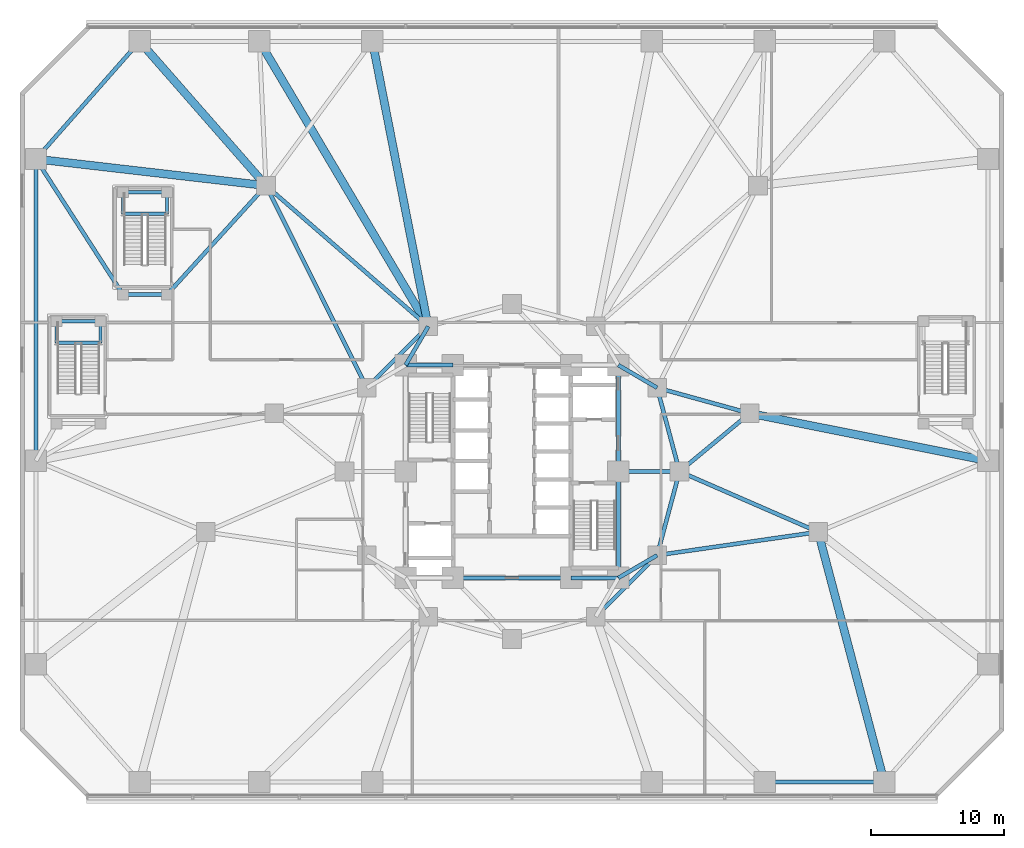
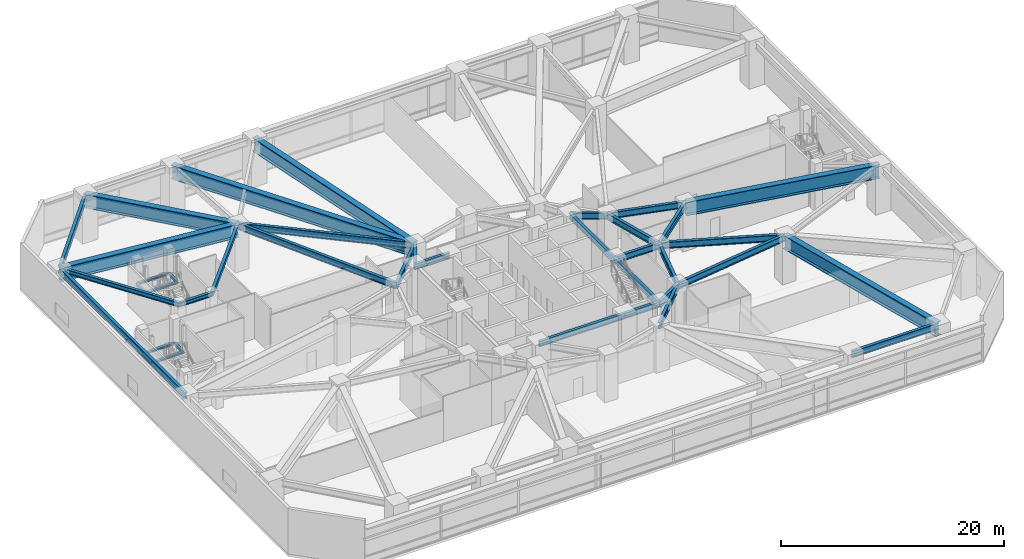
# One storey, part 8 of 27: 39 beams.
"""IFC4 building model written with IfcOpenShell, lengths in metres."""

from ifc_helpers import new_model, si_unit, direction, frame, origin, origin_2d, place, context, subcontext, project, spatial, i_section, extrude, material, material_profile, profile_set, type_object, element, save


model = new_model("IFC4")

# Units and contexts
model_context = context("Model", 3, precision=1e-05, world=origin(), true_north=direction((0.0, 1.0)))
body_context = subcontext(model_context, "Body", "Model", "MODEL_VIEW")
ifc_project = project(units=[si_unit("LENGTHUNIT", "METRE"), si_unit("AREAUNIT", "SQUARE_METRE"), si_unit("VOLUMEUNIT", "CUBIC_METRE"), si_unit("PLANEANGLEUNIT", "RADIAN"), si_unit("MASSUNIT", "GRAM", prefix="KILO")], contexts=[model_context])

# Site, building, storey
site_placement = place(None, origin())
site = spatial("IfcSite", under=ifc_project, at=site_placement, CompositionType="ELEMENT")
building_placement = place(site_placement, origin())
building = spatial("IfcBuilding", under=site, at=building_placement, Name="Terralouvre Media Tower", CompositionType="ELEMENT")
storey_placement = place(building_placement, frame((0.0, 0.0, 15.60009765625)))
storey = spatial("IfcBuildingStorey", under=building, at=storey_placement, Name="L03", CompositionType="ELEMENT", Elevation=15.60009765625)

# Beams
ifc_material_1 = material(Name="Structural steel S355J2", Category="steel")
ifc_material_profile_1 = material_profile(ifc_material_1, i_section(OverallWidth=0.239990234375, OverallDepth=0.239990234375, WebThickness=0.010009765625, FlangeThickness=0.01708984375, at=origin_2d()), Name="HEB 240")
ifc_profile_set_1 = profile_set([ifc_material_profile_1], Name="Structural steel S355J2")
beam_type_1 = type_object("IfcBeamType", Name="Opening Lintel Beam LN-240H (HEB 240)", PredefinedType="LINTEL", material=ifc_profile_set_1)
for number, where, z_axis, x_axis, name in (
    (1, (-34.25, 9.679931640625, 2.27978515625), (0.0, 1.0, 0.0), (-1.0, 0.0, 0.0), "L03 ST-03 Intermediate Landing Support Beam 1W"),
    (2, (-30.949951171875, 9.679931640625, 2.27978515625), (0.0, 1.0, 0.0), (-1.0, 0.0, 0.0), "L03 ST-03 Intermediate Landing Support Beam 1E"),
):
    element("IfcBeam", number, at=place(storey_placement, frame(where, z_axis=z_axis, x_axis=x_axis)), inside=storey, type_object=beam_type_1, Name=name, PredefinedType="LINTEL", context=body_context, shape_type="SweptSolid", body=[
        extrude(i_section(OverallWidth=0.239990234375, OverallDepth=0.239990234375, WebThickness=0.010009765625, FlangeThickness=0.01708984375, at=origin_2d()), origin(), (0.0, 0.0, 1.0), 1.6201171875),
    ])
for number, where, z_axis, x_axis, name in (
    (3, (-34.25, 9.679931640625, 2.27978515625), (1.0, 0.0, 0.0), (0.0, 1.0, 0.0), "L03 ST-03 Intermediate Landing Support Beam 1S"),
    (4, (-34.25, 11.300048828125, 2.27978515625), (1.0, 0.0, 0.0), (0.0, 1.0, 0.0), "L03 ST-03 Intermediate Landing Support Beam 1X"),
):
    element("IfcBeam", number, at=place(storey_placement, frame(where, z_axis=z_axis, x_axis=x_axis)), inside=storey, type_object=beam_type_1, Name=name, PredefinedType="LINTEL", context=body_context, shape_type="SweptSolid", body=[
        extrude(i_section(OverallWidth=0.239990234375, OverallDepth=0.239990234375, WebThickness=0.010009765625, FlangeThickness=0.01708984375, at=origin_2d()), origin(), (0.0, 0.0, 1.0), 3.300048828125),
    ])
for number, where, z_axis, x_axis, name in (
    (5, (-29.25, 19.3798828125, 2.27978515625), (0.0, 1.0, 0.0), (-1.0, 0.0, 0.0), "L03 ST-06 Intermediate Landing Support Beam 1W"),
    (6, (-25.949951171875, 19.3798828125, 2.27978515625), (0.0, 1.0, 0.0), (-1.0, 0.0, 0.0), "L03 ST-06 Intermediate Landing Support Beam 1E"),
):
    element("IfcBeam", number, at=place(storey_placement, frame(where, z_axis=z_axis, x_axis=x_axis)), inside=storey, type_object=beam_type_1, Name=name, PredefinedType="LINTEL", context=body_context, shape_type="SweptSolid", body=[
        extrude(i_section(OverallWidth=0.239990234375, OverallDepth=0.239990234375, WebThickness=0.010009765625, FlangeThickness=0.01708984375, at=origin_2d()), origin(), (0.0, 0.0, 1.0), 1.6201171875),
    ])
for number, where, z_axis, x_axis, name in (
    (7, (-29.25, 19.3798828125, 2.27978515625), (1.0, 0.0, 0.0), (0.0, 1.0, 0.0), "L03 ST-06 Intermediate Landing Support Beam 1S"),
    (8, (-29.25, 21.0, 2.27978515625), (1.0, 0.0, 0.0), (0.0, 1.0, 0.0), "L03 ST-06 Intermediate Landing Support Beam 1X"),
):
    element("IfcBeam", number, at=place(storey_placement, frame(where, z_axis=z_axis, x_axis=x_axis)), inside=storey, type_object=beam_type_1, Name=name, PredefinedType="LINTEL", context=body_context, shape_type="SweptSolid", body=[
        extrude(i_section(OverallWidth=0.239990234375, OverallDepth=0.239990234375, WebThickness=0.010009765625, FlangeThickness=0.01708984375, at=origin_2d()), origin(), (0.0, 0.0, 1.0), 3.300048828125),
    ])
ifc_material_2 = material(Name="Structural steel S355J2", Category="steel")
ifc_material_profile_2 = material_profile(ifc_material_2, i_section(OverallWidth=0.300048828125, OverallDepth=0.449951171875, WebThickness=0.013916015625, FlangeThickness=0.02587890625, at=origin_2d()), Name="HEB 450")
ifc_profile_set_2 = profile_set([ifc_material_profile_2], Name="Structural steel S355J2")
beam_type_2 = type_object("IfcBeamType", Name="Primary Floor Girder B-HEB450 (HEB 450)", PredefinedType="BEAM", material=ifc_profile_set_2)
beam_1_placement = place(storey_placement, frame((-29.25, 13.300048828125, 4.724853515625), z_axis=(1.0, 0.0, 0.0), x_axis=(0.0, 1.0, 0.0)))
element("IfcBeam", 9, at=beam_1_placement, inside=storey, type_object=beam_type_2, Name="L03 Framing Beam BM-L03-PVST61", PredefinedType="BEAM", context=body_context, shape_type="SweptSolid", body=[
    extrude(i_section(OverallWidth=0.300048828125, OverallDepth=0.449951171875, WebThickness=0.013916015625, FlangeThickness=0.02587890625, at=origin_2d()), origin(), (0.0, 0.0, 1.0), 3.300048828125),
])
ifc_material_3 = material(Name="Structural steel S355J2", Category="steel")
ifc_material_profile_3 = material_profile(ifc_material_3, i_section(OverallWidth=0.300048828125, OverallDepth=0.5, WebThickness=0.014404296875, FlangeThickness=0.028076171875, at=origin_2d()), Name="HEB 500")
ifc_profile_set_3 = profile_set([ifc_material_profile_3], Name="Structural steel S355J2")
beam_type_3 = type_object("IfcBeamType", Name="Primary Floor Girder B-HEB500 (HEB 500)", PredefinedType="BEAM", material=ifc_profile_set_3)
beam_2_placement = place(storey_placement, frame((-29.25, 13.300048828125, 4.699951171875), z_axis=(-0.540345267359, 0.841443398003, 0.0), x_axis=(-0.841443398003, -0.540345267359, 0.0)))
element("IfcBeam", 10, at=beam_2_placement, inside=storey, type_object=beam_type_3, Name="L03 Framing Beam BM-L03-PVTST61", PredefinedType="BEAM", context=body_context, shape_type="SweptSolid", body=[
    extrude(i_section(OverallWidth=0.300048828125, OverallDepth=0.5, WebThickness=0.014404296875, FlangeThickness=0.028076171875, at=origin_2d()), origin(), (0.0, 0.0, 1.0), 12.1220703125),
])
beam_3_placement = place(storey_placement, frame((-25.949951171875, 13.300048828125, 4.699951171875), z_axis=(0.672447909493, 0.740144451454, 0.0), x_axis=(-0.740144451454, 0.672447909493, 0.0)))
element("IfcBeam", 11, at=beam_3_placement, inside=storey, type_object=beam_type_3, Name="L03 Framing Beam BM-L03-PVTST62", PredefinedType="BEAM", context=body_context, shape_type="SweptSolid", body=[
    extrude(i_section(OverallWidth=0.300048828125, OverallDepth=0.5, WebThickness=0.014404296875, FlangeThickness=0.028076171875, at=origin_2d()), origin(), (0.0, 0.0, 1.0), 11.078857421875),
])
ifc_material_4 = material(Name="Structural steel S460M", Category="steel")
ifc_material_profile_4 = material_profile(ifc_material_4, i_section(OverallWidth=0.300048828125, OverallDepth=0.60009765625, WebThickness=0.015380859375, FlangeThickness=0.030029296875, at=origin_2d()), Name="HEB 600")
ifc_profile_set_4 = profile_set([ifc_material_profile_4], Name="Structural steel S460M")
beam_type_4 = type_object("IfcBeamType", Name="Primary Floor Girder B-HEB600 (HEB 600)", PredefinedType="BEAM", material=ifc_profile_set_4)
beam_4_placement = place(storey_placement, frame((-4.449951171875, -8.0, 4.64990234375), z_axis=(1.0, 0.0, 0.0), x_axis=(0.0, 1.0, 0.0)))
element("IfcBeam", 12, at=beam_4_placement, inside=storey, type_object=beam_type_4, Name="L03 Framing Beam BM-L03-CPR02", PredefinedType="BEAM", context=body_context, shape_type="SweptSolid", body=[
    extrude(i_section(OverallWidth=0.300048828125, OverallDepth=0.60009765625, WebThickness=0.015380859375, FlangeThickness=0.030029296875, at=origin_2d()), origin(), (0.0, 0.0, 1.0), 8.89990234375),
])
beam_5_placement = place(storey_placement, frame((4.449951171875, -8.0, 4.64990234375), z_axis=(1.0, 0.0, 0.0), x_axis=(0.0, 1.0, 0.0)))
element("IfcBeam", 13, at=beam_5_placement, inside=storey, type_object=beam_type_4, Name="L03 Framing Beam BM-L03-CPR03", PredefinedType="BEAM", context=body_context, shape_type="SweptSolid", body=[
    extrude(i_section(OverallWidth=0.300048828125, OverallDepth=0.60009765625, WebThickness=0.015380859375, FlangeThickness=0.030029296875, at=origin_2d()), origin(), (0.0, 0.0, 1.0), 3.550048828125),
])
for number, where, z_axis, x_axis, name in (
    (14, (8.0, -8.0, 4.64990234375), (0.0, 1.0, 0.0), (-1.0, 0.0, 0.0), "L03 Framing Beam BM-L03-CPR04"),
    (15, (8.0, 0.0, 4.64990234375), (0.0, 1.0, 0.0), (-1.0, 0.0, 0.0), "L03 Framing Beam BM-L03-CPR05"),
):
    element("IfcBeam", number, at=place(storey_placement, frame(where, z_axis=z_axis, x_axis=x_axis)), inside=storey, type_object=beam_type_4, Name=name, PredefinedType="BEAM", context=body_context, shape_type="SweptSolid", body=[
        extrude(i_section(OverallWidth=0.300048828125, OverallDepth=0.60009765625, WebThickness=0.015380859375, FlangeThickness=0.030029296875, at=origin_2d()), origin(), (0.0, 0.0, 1.0), 8.0),
    ])
beam_6_placement = place(storey_placement, frame((-4.449951171875, 8.0, 4.64990234375), z_axis=(-1.0, 0.0, 0.0), x_axis=(0.0, -1.0, 0.0)))
element("IfcBeam", 16, at=beam_6_placement, inside=storey, type_object=beam_type_4, Name="L03 Framing Beam BM-L03-CPR08", PredefinedType="BEAM", context=body_context, shape_type="SweptSolid", body=[
    extrude(i_section(OverallWidth=0.300048828125, OverallDepth=0.60009765625, WebThickness=0.015380859375, FlangeThickness=0.030029296875, at=origin_2d()), origin(), (0.0, 0.0, 1.0), 3.550048828125),
])
ifc_material_5 = material(Name="Structural steel S460M", Category="steel")
ifc_material_profile_5 = material_profile(ifc_material_5, i_section(OverallWidth=0.300048828125, OverallDepth=0.699951171875, WebThickness=0.01708984375, FlangeThickness=0.031982421875, at=origin_2d()), Name="HEB 700")
ifc_profile_set_5 = profile_set([ifc_material_profile_5], Name="Structural steel S460M")
beam_type_5 = type_object("IfcBeamType", Name="Primary Floor Girder B-HEB700 (HEB 700)", PredefinedType="BEAM", material=ifc_profile_set_5)
beam_7_placement = place(storey_placement, frame((6.300048828125, -10.911865234375, 4.599853515625), z_axis=(0.707106781187, 0.707106781187, 0.0), x_axis=(-0.707106781187, 0.707106781187, 0.0)))
element("IfcBeam", 17, at=beam_7_placement, inside=storey, type_object=beam_type_5, Name="L03 Framing Beam BM-L03-MR04", PredefinedType="BEAM", context=body_context, shape_type="SweptSolid", body=[
    extrude(i_section(OverallWidth=0.300048828125, OverallDepth=0.699951171875, WebThickness=0.01708984375, FlangeThickness=0.031982421875, at=origin_2d()), origin(), (0.0, 0.0, 1.0), 6.52197265625),
])
for number, where, z_axis, x_axis, name in (
    (18, (10.911865234375, -6.300048828125, 4.599853515625), (0.258838989821, 0.965920481897, 0.0), (-0.965920481897, 0.258838989821, 0.0), "L03 Framing Beam BM-L03-MR05"),
    (19, (12.60009765625, 0.0, 4.599853515625), (-0.258838989821, 0.965920481897, 0.0), (-0.965920481897, -0.258838989821, 0.0), "L03 Framing Beam BM-L03-MR06"),
):
    element("IfcBeam", number, at=place(storey_placement, frame(where, z_axis=z_axis, x_axis=x_axis)), inside=storey, type_object=beam_type_5, Name=name, PredefinedType="BEAM", context=body_context, shape_type="SweptSolid", body=[
        extrude(i_section(OverallWidth=0.300048828125, OverallDepth=0.699951171875, WebThickness=0.01708984375, FlangeThickness=0.031982421875, at=origin_2d()), origin(), (0.0, 0.0, 1.0), 6.522216796875),
    ])
beam_8_placement = place(storey_placement, frame((-6.300048828125, 10.911865234375, 4.599853515625), z_axis=(-0.707106781187, -0.707106781187, 0.0), x_axis=(0.707106781187, -0.707106781187, 0.0)))
element("IfcBeam", 20, at=beam_8_placement, inside=storey, type_object=beam_type_5, Name="L03 Framing Beam BM-L03-MR10", PredefinedType="BEAM", context=body_context, shape_type="SweptSolid", body=[
    extrude(i_section(OverallWidth=0.300048828125, OverallDepth=0.699951171875, WebThickness=0.01708984375, FlangeThickness=0.031982421875, at=origin_2d()), origin(), (0.0, 0.0, 1.0), 6.52197265625),
])
beam_9_placement = place(storey_placement, frame((8.0, -8.0, 4.599853515625), z_axis=(0.863602894532, 0.504172629717, 0.0), x_axis=(-0.504172629717, 0.863602894532, 0.0)))
element("IfcBeam", 21, at=beam_9_placement, inside=storey, type_object=beam_type_5, Name="L03 Framing Beam BM-L03-CM05", PredefinedType="BEAM", context=body_context, shape_type="SweptSolid", body=[
    extrude(i_section(OverallWidth=0.300048828125, OverallDepth=0.699951171875, WebThickness=0.01708984375, FlangeThickness=0.031982421875, at=origin_2d()), origin(), (0.0, 0.0, 1.0), 3.371826171875),
])
beam_10_placement = place(storey_placement, frame((8.0, 0.0, 4.599853515625), z_axis=(1.0, 0.0, 0.0), x_axis=(0.0, 1.0, 0.0)))
element("IfcBeam", 22, at=beam_10_placement, inside=storey, type_object=beam_type_5, Name="L03 Framing Beam BM-L03-CM06", PredefinedType="BEAM", context=body_context, shape_type="SweptSolid", body=[
    extrude(i_section(OverallWidth=0.300048828125, OverallDepth=0.699951171875, WebThickness=0.01708984375, FlangeThickness=0.031982421875, at=origin_2d()), origin(), (0.0, 0.0, 1.0), 4.60009765625),
])
for number, where, z_axis, x_axis, name in (
    (23, (8.0, 8.0, 4.599853515625), (0.863602894532, -0.504172629717, 0.0), (0.504172629717, 0.863602894532, 0.0), "L03 Framing Beam BM-L03-CM07"),
    (24, (-8.0, 8.0, 4.599853515625), (0.504172629717, 0.863602894532, 0.0), (-0.863602894532, 0.504172629717, 0.0), "L03 Framing Beam BM-L03-CM10"),
):
    element("IfcBeam", number, at=place(storey_placement, frame(where, z_axis=z_axis, x_axis=x_axis)), inside=storey, type_object=beam_type_5, Name=name, PredefinedType="BEAM", context=body_context, shape_type="SweptSolid", body=[
        extrude(i_section(OverallWidth=0.300048828125, OverallDepth=0.699951171875, WebThickness=0.01708984375, FlangeThickness=0.031982421875, at=origin_2d()), origin(), (0.0, 0.0, 1.0), 3.371826171875),
    ])
beam_11_placement = place(storey_placement, frame((-6.300048828125, 10.911865234375, 4.599853515625), z_axis=(-0.755234116228, 0.65545513171, 0.0), x_axis=(-0.65545513171, -0.755234116228, 0.0)))
element("IfcBeam", 25, at=beam_11_placement, inside=storey, type_object=beam_type_5, Name="L03 Framing Beam BM-L03-PM19M1", PredefinedType="BEAM", context=body_context, shape_type="SweptSolid", body=[
    extrude(i_section(OverallWidth=0.300048828125, OverallDepth=0.699951171875, WebThickness=0.01708984375, FlangeThickness=0.031982421875, at=origin_2d()), origin(), (0.0, 0.0, 1.0), 16.15380859375),
])
beam_12_placement = place(storey_placement, frame((-10.911865234375, 6.300048828125, 4.599853515625), z_axis=(-0.446655925193, 0.894705808906, 0.0), x_axis=(-0.894705808906, -0.446655925193, 0.0)))
element("IfcBeam", 26, at=beam_12_placement, inside=storey, type_object=beam_type_5, Name="L03 Framing Beam BM-L03-PM19M2", PredefinedType="BEAM", context=body_context, shape_type="SweptSolid", body=[
    extrude(i_section(OverallWidth=0.300048828125, OverallDepth=0.699951171875, WebThickness=0.01708984375, FlangeThickness=0.031982421875, at=origin_2d()), origin(), (0.0, 0.0, 1.0), 16.98876953125),
])
beam_13_placement = place(storey_placement, frame((12.60009765625, 0.0, 4.599853515625), z_axis=(0.916615903868, -0.399769039291, 0.0), x_axis=(0.399769039291, 0.916615903868, 0.0)))
element("IfcBeam", 27, at=beam_13_placement, inside=storey, type_object=beam_type_5, Name="L03 Framing Beam BM-L03-PM21M1", PredefinedType="BEAM", context=body_context, shape_type="SweptSolid", body=[
    extrude(i_section(OverallWidth=0.300048828125, OverallDepth=0.699951171875, WebThickness=0.01708984375, FlangeThickness=0.031982421875, at=origin_2d()), origin(), (0.0, 0.0, 1.0), 11.373046875),
])
beam_14_placement = place(storey_placement, frame((10.911865234375, -6.300048828125, 4.599853515625), z_axis=(0.989684877742, 0.143261448996, 0.0), x_axis=(-0.143261448996, 0.989684877742, 0.0)))
element("IfcBeam", 28, at=beam_14_placement, inside=storey, type_object=beam_type_5, Name="L03 Framing Beam BM-L03-PM21M2", PredefinedType="BEAM", context=body_context, shape_type="SweptSolid", body=[
    extrude(i_section(OverallWidth=0.300048828125, OverallDepth=0.699951171875, WebThickness=0.01708984375, FlangeThickness=0.031982421875, at=origin_2d()), origin(), (0.0, 0.0, 1.0), 12.2392578125),
])
beam_15_placement = place(storey_placement, frame((12.60009765625, 0.0, 4.599853515625), z_axis=(0.769816459478, 0.638265320001, 0.0), x_axis=(-0.638265320001, 0.769816459478, 0.0)))
element("IfcBeam", 29, at=beam_15_placement, inside=storey, type_object=beam_type_5, Name="L03 Framing Beam BM-L03-PM22M1", PredefinedType="BEAM", context=body_context, shape_type="SweptSolid", body=[
    extrude(i_section(OverallWidth=0.300048828125, OverallDepth=0.699951171875, WebThickness=0.01708984375, FlangeThickness=0.031982421875, at=origin_2d()), origin(), (0.0, 0.0, 1.0), 6.851806640625),
])
beam_16_placement = place(storey_placement, frame((10.911865234375, 6.300048828125, 4.599853515625), z_axis=(0.963780816717, -0.266695589254, 0.0), x_axis=(0.266695589254, 0.963780816717, 0.0)))
element("IfcBeam", 30, at=beam_16_placement, inside=storey, type_object=beam_type_5, Name="L03 Framing Beam BM-L03-PM22M2", PredefinedType="BEAM", context=body_context, shape_type="SweptSolid", body=[
    extrude(i_section(OverallWidth=0.300048828125, OverallDepth=0.699951171875, WebThickness=0.01708984375, FlangeThickness=0.031982421875, at=origin_2d()), origin(), (0.0, 0.0, 1.0), 7.224609375),
])
beam_17_placement = place(storey_placement, frame((19.0, -23.35009765625, 4.599853515625), z_axis=(1.0, 0.0, 0.0), x_axis=(0.0, 1.0, 0.0)))
element("IfcBeam", 31, at=beam_17_placement, inside=storey, type_object=beam_type_5, Name="L03 Framing Beam BM-L03-PR06", PredefinedType="BEAM", context=body_context, shape_type="SweptSolid", body=[
    extrude(i_section(OverallWidth=0.300048828125, OverallDepth=0.699951171875, WebThickness=0.01708984375, FlangeThickness=0.031982421875, at=origin_2d()), origin(), (0.0, 0.0, 1.0), 9.0),
])
beam_18_placement = place(storey_placement, frame((-28.0, 32.35009765625, 4.599853515625), z_axis=(-0.661199207896, -0.75021037548, 0.0), x_axis=(0.75021037548, -0.661199207896, 0.0)))
element("IfcBeam", 32, at=beam_18_placement, inside=storey, type_object=beam_type_5, Name="L03 Framing Beam BM-L03-PR16", PredefinedType="BEAM", context=body_context, shape_type="SweptSolid", body=[
    extrude(i_section(OverallWidth=0.300048828125, OverallDepth=0.699951171875, WebThickness=0.01708984375, FlangeThickness=0.031982421875, at=origin_2d()), origin(), (0.0, 0.0, 1.0), 11.796875),
])
beam_19_placement = place(storey_placement, frame((-35.800048828125, 23.5, 4.599853515625), z_axis=(0.0, -1.0, 0.0), x_axis=(1.0, 0.0, 0.0)))
element("IfcBeam", 33, at=beam_19_placement, inside=storey, type_object=beam_type_5, Name="L03 Framing Beam BM-L03-PR17", PredefinedType="BEAM", context=body_context, shape_type="SweptSolid", body=[
    extrude(i_section(OverallWidth=0.300048828125, OverallDepth=0.699951171875, WebThickness=0.01708984375, FlangeThickness=0.031982421875, at=origin_2d()), origin(), (0.0, 0.0, 1.0), 22.699951171875),
])
ifc_material_6 = material(Name="Structural steel S460M", Category="steel")
ifc_material_profile_6 = material_profile(ifc_material_6, i_section(OverallWidth=0.60009765625, OverallDepth=1.5, WebThickness=0.033935546875, FlangeThickness=0.054931640625, at=origin_2d()), Name="PG 1500x600")
ifc_profile_set_6 = profile_set([ifc_material_profile_6], Name="Structural steel S460M")
beam_type_6 = type_object("IfcBeamType", Name="Primary Floor Girder B-PG1500 (PG 1500x600)", PredefinedType="BEAM", material=ifc_profile_set_6)
beam_20_placement = place(storey_placement, frame((23.02490234375, -4.546630859375, 4.199951171875), z_axis=(0.25578250381, -0.966734353762, 0.0), x_axis=(0.966734353762, 0.25578250381, 0.0)))
element("IfcBeam", 34, at=beam_20_placement, inside=storey, type_object=beam_type_6, Name="L03 Framing Beam BM-L03-RD07", PredefinedType="BEAM", context=body_context, shape_type="SweptSolid", body=[
    extrude(i_section(OverallWidth=0.60009765625, OverallDepth=1.5, WebThickness=0.033935546875, FlangeThickness=0.054931640625, at=origin_2d()), origin(), (0.0, 0.0, 1.0), 19.450439453125),
])
beam_21_placement = place(storey_placement, frame((17.874755859375, 4.373291015625, 4.199951171875), z_axis=(0.980704802412, -0.19549447697, 0.0), x_axis=(0.19549447697, 0.980704802412, 0.0)))
element("IfcBeam", 35, at=beam_21_placement, inside=storey, type_object=beam_type_6, Name="L03 Framing Beam BM-L03-RD09", PredefinedType="BEAM", context=body_context, shape_type="SweptSolid", body=[
    extrude(i_section(OverallWidth=0.60009765625, OverallDepth=1.5, WebThickness=0.033935546875, FlangeThickness=0.054931640625, at=origin_2d()), origin(), (0.0, 0.0, 1.0), 18.278076171875),
])
beam_22_placement = place(storey_placement, frame((-6.300048828125, 10.911865234375, 4.199951171875), z_axis=(-0.192254717948, 0.981345058288, 0.0), x_axis=(-0.981345058288, -0.192254717948, 0.0)))
element("IfcBeam", 36, at=beam_22_placement, inside=storey, type_object=beam_type_6, Name="L03 Framing Beam BM-L03-RD14", PredefinedType="BEAM", context=body_context, shape_type="SweptSolid", body=[
    extrude(i_section(OverallWidth=0.60009765625, OverallDepth=1.5, WebThickness=0.033935546875, FlangeThickness=0.054931640625, at=origin_2d()), origin(), (0.0, 0.0, 1.0), 21.845703125),
])
beam_23_placement = place(storey_placement, frame((-6.300048828125, 10.911865234375, 4.199951171875), z_axis=(-0.509678035934, 0.860365212969, 0.0), x_axis=(-0.860365212969, -0.509678035934, 0.0)))
element("IfcBeam", 37, at=beam_23_placement, inside=storey, type_object=beam_type_6, Name="L03 Framing Beam BM-L03-RD15", PredefinedType="BEAM", context=body_context, shape_type="SweptSolid", body=[
    extrude(i_section(OverallWidth=0.60009765625, OverallDepth=1.5, WebThickness=0.033935546875, FlangeThickness=0.054931640625, at=origin_2d()), origin(), (0.0, 0.0, 1.0), 24.91748046875),
])
beam_24_placement = place(storey_placement, frame((-18.5, 21.5, 4.199951171875), z_axis=(-0.658746675471, 0.752364816799, 0.0), x_axis=(-0.752364816799, -0.658746675471, 0.0)))
element("IfcBeam", 38, at=beam_24_placement, inside=storey, type_object=beam_type_6, Name="L03 Framing Beam BM-L03-RD16", PredefinedType="BEAM", context=body_context, shape_type="SweptSolid", body=[
    extrude(i_section(OverallWidth=0.60009765625, OverallDepth=1.5, WebThickness=0.033935546875, FlangeThickness=0.054931640625, at=origin_2d()), origin(), (0.0, 0.0, 1.0), 14.42138671875),
])
beam_25_placement = place(storey_placement, frame((-18.5, 21.5, 4.199951171875), z_axis=(-0.993383801046, 0.114841733791, 0.0), x_axis=(-0.114841733791, -0.993383801046, 0.0)))
element("IfcBeam", 39, at=beam_25_placement, inside=storey, type_object=beam_type_6, Name="L03 Framing Beam BM-L03-RD17", PredefinedType="BEAM", context=body_context, shape_type="SweptSolid", body=[
    extrude(i_section(OverallWidth=0.60009765625, OverallDepth=1.5, WebThickness=0.033935546875, FlangeThickness=0.054931640625, at=origin_2d()), origin(), (0.0, 0.0, 1.0), 17.415283203125),
])

save(model, "model.ifc")
